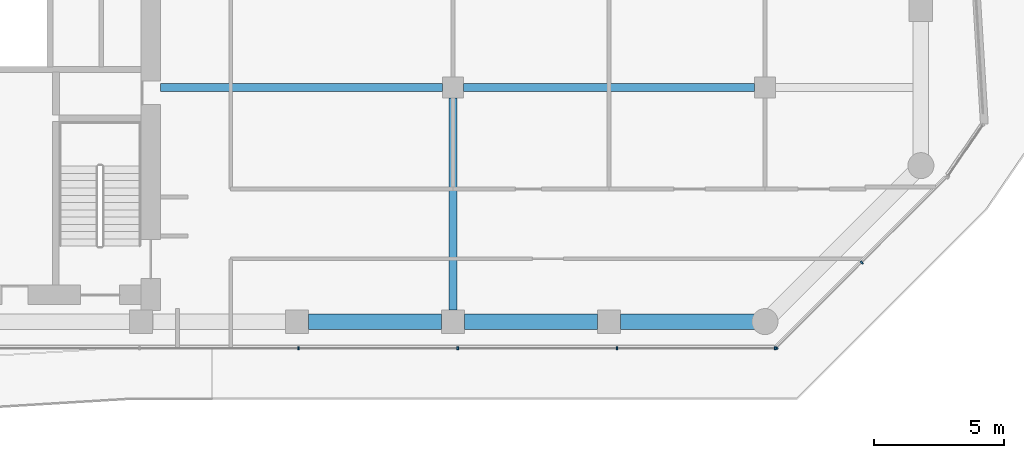
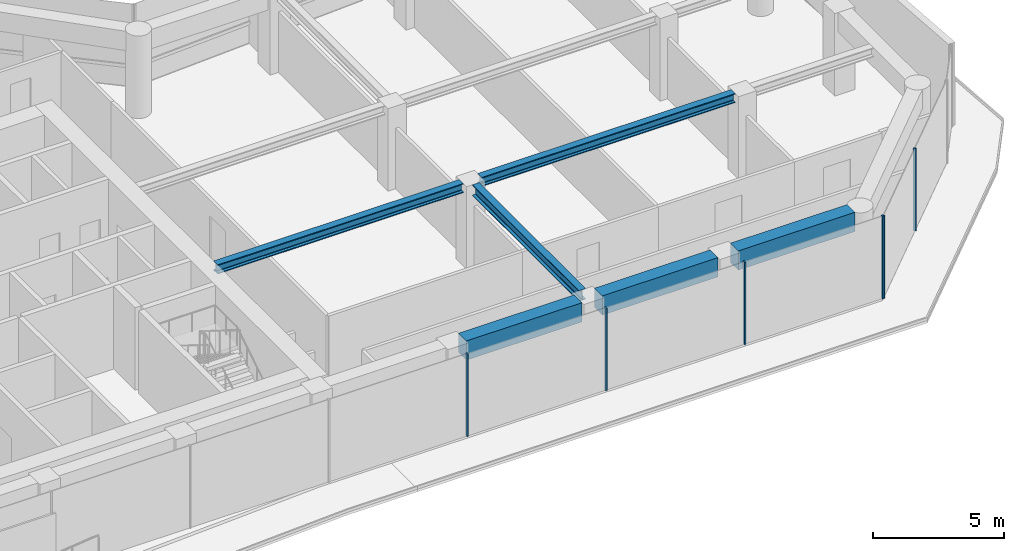
# One storey, part 6 of 23: 6 beams, 6 members, 2 elements without a shape of their own.
"""IFC4 building model written with IfcOpenShell, lengths in metres."""

from ifc_helpers import new_model, si_unit, direction, frame, origin, origin_2d, place, context, subcontext, project, spatial, rectangle, i_section, extrude, material, layer, layer_set, material_profile, profile_set, type_object, element, aggregate, save


model = new_model("IFC4")

# Units and contexts
model_context = context("Model", 3, precision=1e-05, world=origin(), true_north=direction((0.0, 1.0)))
body_context = subcontext(model_context, "Body", "Model", "MODEL_VIEW")
ifc_project = project(units=[si_unit("LENGTHUNIT", "METRE"), si_unit("AREAUNIT", "SQUARE_METRE"), si_unit("VOLUMEUNIT", "CUBIC_METRE"), si_unit("PLANEANGLEUNIT", "RADIAN"), si_unit("MASSUNIT", "GRAM", prefix="KILO")], contexts=[model_context])

# Site, building, storey
site_placement = place(None, origin())
site = spatial("IfcSite", under=ifc_project, at=site_placement, CompositionType="ELEMENT")
building_placement = place(site_placement, origin())
building = spatial("IfcBuilding", under=site, at=building_placement, Name="Welwitschia Terrace Campus", CompositionType="ELEMENT")
storey_placement = place(building_placement, frame((0.0, 0.0, 96.199951171875)))
storey = spatial("IfcBuildingStorey", under=building, at=storey_placement, Name="L21", CompositionType="ELEMENT", Elevation=96.199951171875)

# Beams
ifc_material_1 = material(Name="Steel S355", Category="steel")
ifc_material_profile_1 = material_profile(ifc_material_1, i_section(OverallWidth=0.306884765625, OverallDepth=0.431884765625, WebThickness=0.02099609375, FlangeThickness=0.0400390625, FilletRadius=0.027099609375, at=origin_2d()))
ifc_profile_set_1 = profile_set([ifc_material_profile_1], Name="Steel S355")
beam_type_1 = type_object("IfcBeamType", Name="Interior girder HE 400 M", PredefinedType="BEAM", material=ifc_profile_set_1)
beam_1_placement = place(storey_placement, frame((24.7509765625, 13.0, 3.634033203125), z_axis=(1.0, 0.0, 0.0), x_axis=(0.0, 1.0, 0.0)))
element("IfcBeam", 1, at=beam_1_placement, inside=storey, type_object=beam_type_1, Name="Girder GB3", PredefinedType="BEAM", context=body_context, shape_type="SweptSolid", body=[
    extrude(i_section(OverallWidth=0.306884765625, OverallDepth=0.431884765625, WebThickness=0.02099609375, FlangeThickness=0.0400390625, FilletRadius=0.027099609375, at=origin_2d()), origin(), (0.0, 0.0, 1.0), 10.8486328125),
])
beam_2_placement = place(storey_placement, frame((36.400390625, 13.0, 3.634033203125), z_axis=(1.0, 0.0, 0.0), x_axis=(0.0, 1.0, 0.0)))
element("IfcBeam", 2, at=beam_2_placement, inside=storey, type_object=beam_type_1, Name="Girder GB3", PredefinedType="BEAM", context=body_context, shape_type="SweptSolid", body=[
    extrude(i_section(OverallWidth=0.306884765625, OverallDepth=0.431884765625, WebThickness=0.02099609375, FlangeThickness=0.0400390625, FilletRadius=0.027099609375, at=origin_2d()), origin(), (0.0, 0.0, 1.0), 11.19921875),
])

# Curtain wall, members
ifc_material_2 = material(Name="Bronze anodised aluminium", Category="aluminium")
ifc_layer = layer(ifc_material_2, 0.1201171875)
ifc_layer_set = layer_set([ifc_layer], Name="Bronze anodised aluminium")
curtain_wall_type = type_object("IfcCurtainWallType", Name="Curtain wall CW2 tower 6000", PredefinedType="NOTDEFINED", material=ifc_layer_set)
curtain_wall_1_placement = place(storey_placement, origin())
curtain_wall_1 = element("IfcCurtainWall", 3, at=curtain_wall_1_placement, inside=storey, type_object=curtain_wall_type, Name="CW L21.1.0", PredefinedType="NOTDEFINED")
ifc_material_3 = material(Name="Bronze anodised aluminium", Category="aluminium")
ifc_material_profile_2 = material_profile(ifc_material_3, rectangle(XDim=0.1201171875, YDim=0.06005859375, at=origin_2d()))
ifc_profile_set_2 = profile_set([ifc_material_profile_2], Name="Bronze anodised aluminium")
member_type = type_object("IfcMemberType", Name="Mullion 60x120", PredefinedType="MULLION", material=ifc_profile_set_2)
member_1_placement = place(storey_placement, frame((30.06103515625, 2.969970703125, 0.0), z_axis=(0.0, 0.0, 1.0), x_axis=(0.0, 1.0, 0.0)))
member_1 = element("IfcMember", 4, at=member_1_placement, type_object=member_type, Name="Mullion L21.1.0.4", PredefinedType="MULLION", context=body_context, shape_type="SweptSolid", body=[
    extrude(rectangle(XDim=0.1201171875, YDim=0.06005859375, at=origin_2d()), origin(), (0.0, 0.0, 1.0), 3.85009765625),
])
member_2_placement = place(storey_placement, frame((36.182861328125, 2.969970703125, 0.0), z_axis=(0.0, 0.0, 1.0), x_axis=(0.0, 1.0, 0.0)))
member_2 = element("IfcMember", 5, at=member_2_placement, type_object=member_type, Name="Mullion L21.1.0.5", PredefinedType="MULLION", context=body_context, shape_type="SweptSolid", body=[
    extrude(rectangle(XDim=0.1201171875, YDim=0.06005859375, at=origin_2d()), origin(), (0.0, 0.0, 1.0), 3.85009765625),
])
member_3_placement = place(storey_placement, frame((42.3046875, 2.969970703125, 0.0), z_axis=(0.0, 0.0, 1.0), x_axis=(0.0, 1.0, 0.0)))
member_3 = element("IfcMember", 6, at=member_3_placement, type_object=member_type, Name="Mullion L21.1.0.6", PredefinedType="MULLION", context=body_context, shape_type="SweptSolid", body=[
    extrude(rectangle(XDim=0.1201171875, YDim=0.06005859375, at=origin_2d()), origin(), (0.0, 0.0, 1.0), 3.85009765625),
])
member_4_placement = place(storey_placement, frame((48.396728515625, 2.969970703125, 0.0), z_axis=(0.0, 0.0, 1.0), x_axis=(0.0, 1.0, 0.0)))
member_4 = element("IfcMember", 7, at=member_4_placement, type_object=member_type, Name="Mullion L21.1.0.7", PredefinedType="MULLION", context=body_context, shape_type="SweptSolid", body=[
    extrude(rectangle(XDim=0.1201171875, YDim=0.06005859375, at=origin_2d()), origin(), (0.0, 0.0, 1.0), 3.85009765625),
])
aggregate(curtain_wall_1, [member_1, member_2, member_3, member_4])

curtain_wall_2_placement = place(storey_placement, origin())
curtain_wall_2 = element("IfcCurtainWall", 8, at=curtain_wall_2_placement, inside=storey, type_object=curtain_wall_type, Name="CW L21.2.0", PredefinedType="NOTDEFINED")
member_5_placement = place(storey_placement, frame((48.44775390625, 2.9912109375, 0.0), z_axis=(0.0, 0.0, 1.0), x_axis=(-0.707106781187, 0.707106781187, 0.0)))
member_5 = element("IfcMember", 9, at=member_5_placement, type_object=member_type, Name="Mullion L21.2.0.0", PredefinedType="MULLION", context=body_context, shape_type="SweptSolid", body=[
    extrude(rectangle(XDim=0.1201171875, YDim=0.06005859375, at=origin_2d()), origin(), (0.0, 0.0, 1.0), 3.85009765625),
])
member_6_placement = place(storey_placement, frame((51.724853515625, 6.268310546875, 0.0), z_axis=(0.0, 0.0, 1.0), x_axis=(-0.707106781187, 0.707106781187, 0.0)))
member_6 = element("IfcMember", 10, at=member_6_placement, type_object=member_type, Name="Mullion L21.2.0.1", PredefinedType="MULLION", context=body_context, shape_type="SweptSolid", body=[
    extrude(rectangle(XDim=0.1201171875, YDim=0.06005859375, at=origin_2d()), origin(), (0.0, 0.0, 1.0), 3.85009765625),
])
aggregate(curtain_wall_2, [member_5, member_6])

# Beams
ifc_material_4 = material(Name="Steel S355", Category="steel")
ifc_material_profile_3 = material_profile(ifc_material_4, i_section(OverallWidth=0.300048828125, OverallDepth=0.5, WebThickness=0.014404296875, FlangeThickness=0.028076171875, FilletRadius=0.027099609375, at=origin_2d()))
ifc_profile_set_3 = profile_set([ifc_material_profile_3], Name="Steel S355")
beam_type_2 = type_object("IfcBeamType", Name="Primary beam HE 500 B", PredefinedType="BEAM", material=ifc_profile_set_3)
beam_3_placement = place(storey_placement, frame((36.0, 4.450439453125, 3.60009765625), z_axis=(0.0, 1.0, 0.0), x_axis=(-1.0, 0.0, 0.0)))
element("IfcBeam", 11, at=beam_3_placement, inside=storey, type_object=beam_type_2, Name="Primary beam PB3", PredefinedType="BEAM", context=body_context, shape_type="SweptSolid", body=[
    extrude(i_section(OverallWidth=0.300048828125, OverallDepth=0.5, WebThickness=0.014404296875, FlangeThickness=0.028076171875, FilletRadius=0.027099609375, at=origin_2d()), origin(), (0.0, 0.0, 1.0), 8.149169921875),
])
ifc_material_5 = material(Name="Concrete C60/75", Category="concrete")
ifc_material_profile_4 = material_profile(ifc_material_5, rectangle(XDim=0.60009765625, YDim=0.89990234375, at=origin_2d()))
ifc_profile_set_4 = profile_set([ifc_material_profile_4], Name="Concrete C60/75")
beam_type_3 = type_object("IfcBeamType", Name="Ring spandrel 600x900", PredefinedType="SPANDREL", material=ifc_profile_set_4)
for number, where, z_axis, x_axis, name in (
    (12, (30.450439453125, 4.0, 3.400146484375), (1.0, 0.0, 0.0), (0.0, 1.0, 0.0), "Spandrel SP2"),
    (13, (36.450439453125, 4.0, 3.400146484375), (1.0, 0.0, 0.0), (0.0, 1.0, 0.0), "Spandrel SP2"),
):
    element("IfcBeam", number, at=place(storey_placement, frame(where, z_axis=z_axis, x_axis=x_axis)), inside=storey, type_object=beam_type_3, Name=name, PredefinedType="SPANDREL", context=body_context, shape_type="SweptSolid", body=[
        extrude(rectangle(XDim=0.60009765625, YDim=0.89990234375, at=origin_2d()), origin(), (0.0, 0.0, 1.0), 5.09912109375),
    ])
beam_4_placement = place(storey_placement, frame((42.450439453125, 4.0, 3.400146484375), z_axis=(1.0, 0.0, 0.0), x_axis=(0.0, 1.0, 0.0)))
element("IfcBeam", 14, at=beam_4_placement, inside=storey, type_object=beam_type_3, Name="Spandrel SP2", PredefinedType="SPANDREL", context=body_context, shape_type="SweptSolid", body=[
    extrude(rectangle(XDim=0.60009765625, YDim=0.89990234375, at=origin_2d()), origin(), (0.0, 0.0, 1.0), 5.149169921875),
])

save(model, "model.ifc")
